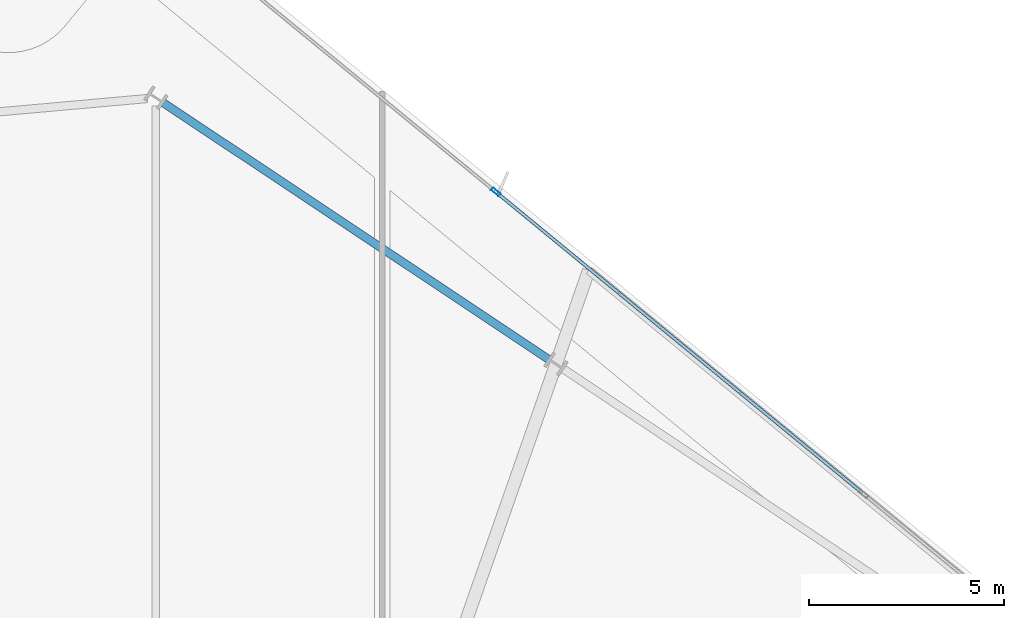
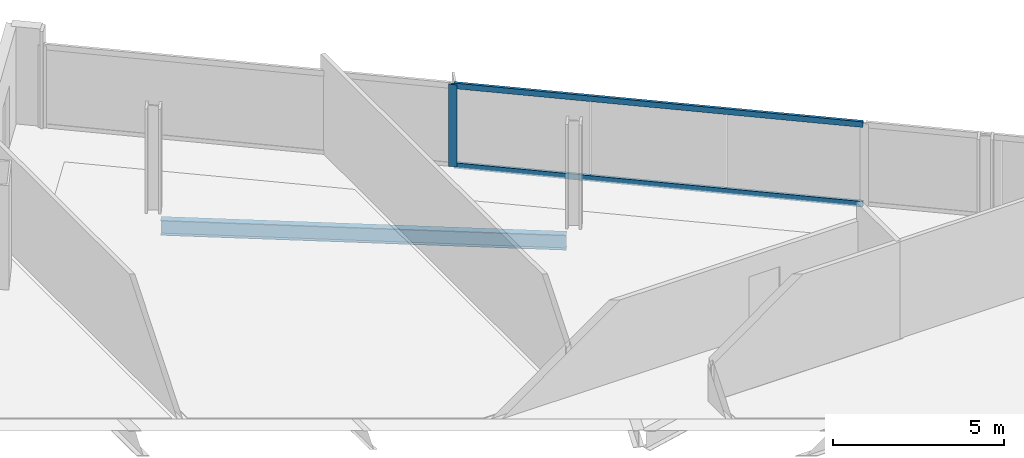
# One storey, part 18 of 28: 3 members, 1 beam, 1 element without a shape of its own.
"""IFC4 building model written with IfcOpenShell, lengths in metres."""

from ifc_helpers import new_model, si_unit, direction, frame, origin, origin_2d, place, context, subcontext, project, spatial, hollow_rectangle, i_section, extrude, material, material_profile, profile_set, type_object, element, aggregate, save


model = new_model("IFC4")

# Units and contexts
model_context = context("Model", 3, precision=1e-05, world=origin(), true_north=direction((0.0, 1.0)))
body_context = subcontext(model_context, "Body", "Model", "MODEL_VIEW")
ifc_project = project(units=[si_unit("LENGTHUNIT", "METRE"), si_unit("AREAUNIT", "SQUARE_METRE"), si_unit("VOLUMEUNIT", "CUBIC_METRE"), si_unit("PLANEANGLEUNIT", "RADIAN"), si_unit("MASSUNIT", "GRAM", prefix="KILO")], contexts=[model_context])

# Site, building, storey
site_placement = place(None, origin())
site = spatial("IfcSite", under=ifc_project, at=site_placement, CompositionType="ELEMENT")
building_placement = place(site_placement, origin())
building = spatial("IfcBuilding", under=site, at=building_placement, Name="Haldenkirk Collegiate Tower", CompositionType="ELEMENT")
storey_placement = place(building_placement, frame((0.0, 0.0, 198.449951171875)))
storey = spatial("IfcBuildingStorey", under=building, at=storey_placement, Name="L49", CompositionType="ELEMENT", Elevation=198.449951171875)

# Beam
ifc_material_1 = material(Name="Steel ASTM A992 Grade 50", Category="steel")
ifc_material_profile_1 = material_profile(ifc_material_1, i_section(OverallWidth=0.2099609375, OverallDepth=0.537109375, WebThickness=0.010986328125, FlangeThickness=0.017333984375, at=origin_2d()), Name="W21X68")
ifc_profile_set_1 = profile_set([ifc_material_profile_1], Name="Steel ASTM A992 Grade 50")
beam_type = type_object("IfcBeamType", Name="BM-SPANDREL-W21X68", PredefinedType="SPANDREL", material=ifc_profile_set_1)
beam_placement = place(storey_placement, frame((48.266845703125, 43.96240234375, -0.54833984375), z_axis=(-0.832429330124, 0.554131221237, 0.0), x_axis=(-0.554131221237, -0.832429330124, 0.0)))
element("IfcBeam", 1, at=beam_placement, inside=storey, type_object=beam_type, Name="L49 perimeter spandrel beam 07", PredefinedType="SPANDREL", context=body_context, shape_type="SweptSolid", body=[
    extrude(i_section(OverallWidth=0.2099609375, OverallDepth=0.537109375, WebThickness=0.010986328125, FlangeThickness=0.017333984375, at=origin_2d()), origin(), (0.0, 0.0, 1.0), 11.88525390625),
])

# Curtain wall, members
ifc_material_2 = material(Name="Anodised architectural bronze aluminium", Category="aluminium")
curtain_wall_type = type_object("IfcCurtainWallType", Name="CW-SYS1B-CONVEX-HI", PredefinedType="USERDEFINED", material=ifc_material_2)
curtain_wall_placement = place(storey_placement, origin())
curtain_wall = element("IfcCurtainWall", 2, at=curtain_wall_placement, inside=storey, type_object=curtain_wall_type, Name="L49 Upper tower high-wind convex bronze unitised curtain wall", ObjectType="UNITISED CURTAIN WALL", PredefinedType="USERDEFINED")
ifc_material_profile_2 = material_profile(ifc_material_2, hollow_rectangle(XDim=0.0849609375, YDim=0.25, WallThickness=0.0048828125, at=origin_2d()), Name="CW-MUL-1B")
ifc_profile_set_2 = profile_set([ifc_material_profile_2], Name="Anodised architectural bronze aluminium")
member_type_1 = type_object("IfcMemberType", Name="CW-MUL-1B", PredefinedType="MULLION", material=ifc_profile_set_2)
member_1_placement = place(storey_placement, frame((46.905029296875, 48.25634765625, 0.0), z_axis=(0.0, 0.0, 1.0), x_axis=(0.634731907043, 0.772732428582, 0.0)))
member_1 = element("IfcMember", 3, at=member_1_placement, type_object=member_type_1, Name="CW-1B mullion 2", PredefinedType="MULLION", context=body_context, shape_type="SweptSolid", body=[
    extrude(hollow_rectangle(XDim=0.0849609375, YDim=0.25, WallThickness=0.0048828125, at=origin_2d()), origin(), (0.0, 0.0, 1.0), 2.927978515625),
])
ifc_material_profile_3 = material_profile(ifc_material_2, hollow_rectangle(XDim=0.0849609375, YDim=0.199951171875, WallThickness=0.0048828125, at=origin_2d()), Name="CW-TRN-1B")
ifc_profile_set_3 = profile_set([ifc_material_profile_3], Name="Anodised architectural bronze aluminium")
member_type_2 = type_object("IfcMemberType", Name="CW-TRN-1B", PredefinedType="USERDEFINED", material=ifc_profile_set_3)
member_2_placement = place(storey_placement, frame((46.93798828125, 48.229248046875, 0.04248046875), z_axis=(0.772732961623, -0.63473125811, 0.0), x_axis=(0.63473125811, 0.772732961623, 0.0)))
member_2 = element("IfcMember", 4, at=member_2_placement, type_object=member_type_2, Name="CW-1B transom 2.1", ObjectType="TRANSOM", PredefinedType="USERDEFINED", context=body_context, shape_type="SweptSolid", body=[
    extrude(hollow_rectangle(XDim=0.0849609375, YDim=0.199951171875, WallThickness=0.0048828125, at=origin_2d()), origin(), (0.0, 0.0, 1.0), 12.114990234375),
])
member_3_placement = place(storey_placement, frame((46.93798828125, 48.229248046875, 2.885498046875), z_axis=(0.772732961623, -0.63473125811, 0.0), x_axis=(0.63473125811, 0.772732961623, 0.0)))
member_3 = element("IfcMember", 5, at=member_3_placement, type_object=member_type_2, Name="CW-1B transom 2.2", ObjectType="TRANSOM", PredefinedType="USERDEFINED", context=body_context, shape_type="SweptSolid", body=[
    extrude(hollow_rectangle(XDim=0.0849609375, YDim=0.199951171875, WallThickness=0.0048828125, at=origin_2d()), origin(), (0.0, 0.0, 1.0), 12.114990234375),
])
aggregate(curtain_wall, [member_1, member_2, member_3])

save(model, "model.ifc")
